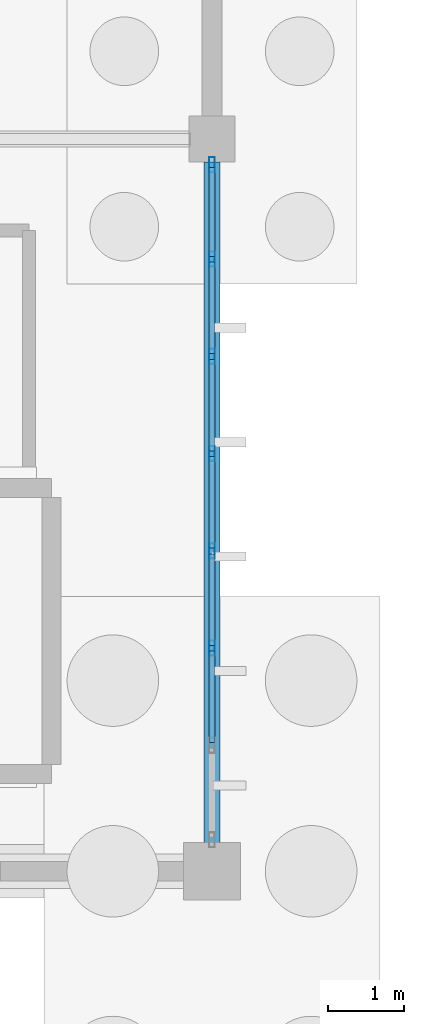
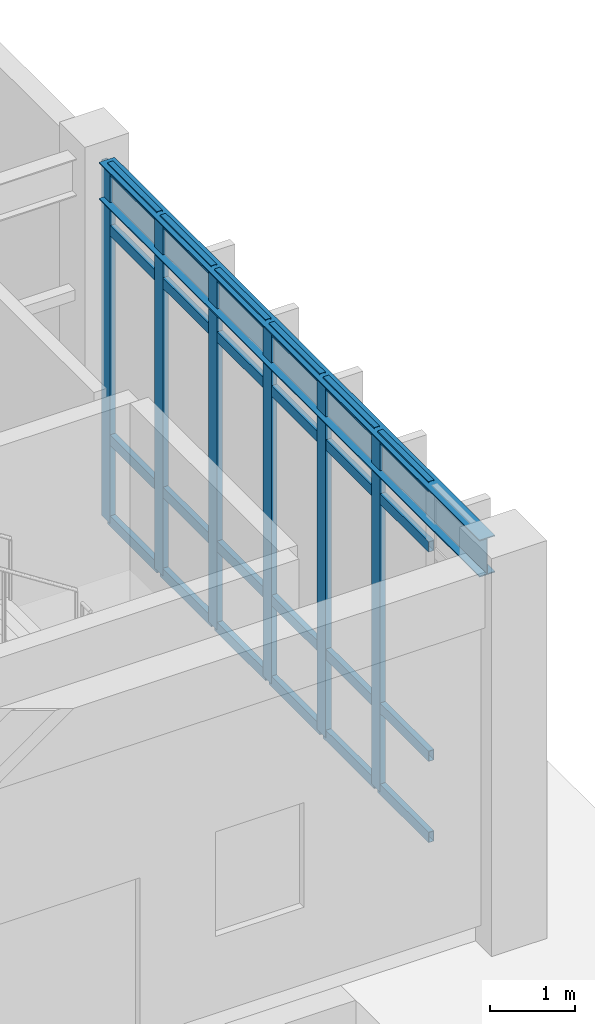
# One storey, part 97 of 188: 30 members, 1 beam, 1 element without a shape of its own.
"""IFC4 building model written with IfcOpenShell, lengths in metres."""

from ifc_helpers import new_model, si_unit, direction, frame, origin, origin_2d, place, context, subcontext, project, spatial, hollow_rectangle, i_section, extrude, material, layer, layer_set, material_profile, profile_set, type_object, element, aggregate, save


model = new_model("IFC4")

# Units and contexts
model_context = context("Model", 3, precision=1e-05, world=origin(), true_north=direction((0.0, 1.0)))
body_context = subcontext(model_context, "Body", "Model", "MODEL_VIEW")
ifc_project = project(units=[si_unit("LENGTHUNIT", "METRE"), si_unit("AREAUNIT", "SQUARE_METRE"), si_unit("VOLUMEUNIT", "CUBIC_METRE"), si_unit("PLANEANGLEUNIT", "RADIAN"), si_unit("MASSUNIT", "GRAM", prefix="KILO")], contexts=[model_context])

# Site, building, storey
site_placement = place(None, origin())
site = spatial("IfcSite", under=ifc_project, at=site_placement, CompositionType="ELEMENT")
building_placement = place(site_placement, origin())
building = spatial("IfcBuilding", under=site, at=building_placement, Name="Pandanus Reach Market Hall", CompositionType="ELEMENT")
storey_placement = place(building_placement, origin())
storey = spatial("IfcBuildingStorey", under=building, at=storey_placement, Name="L00", CompositionType="ELEMENT", Elevation=0.0)

# Beam
ifc_material_1 = material(Name="Steel Grade 350 (350 MPa)", Category="steel")
ifc_material_profile_1 = material_profile(ifc_material_1, i_section(OverallWidth=0.208984375, OverallDepth=0.532958984375, WebThickness=0.01025390625, FlangeThickness=0.015625, at=origin_2d()), Name="530UB92.4", Category="LoadBearing")
ifc_profile_set_1 = profile_set([ifc_material_profile_1], Name="Steel Grade 350 (350 MPa)")
beam_type = type_object("IfcBeamType", Name="BM-UB530-I", PredefinedType="BEAM", material=ifc_profile_set_1)
beam_placement = place(storey_placement, frame((132.0, 29.173095703125, 4.85302734375), z_axis=(0.0, 1.0, 0.0), x_axis=(-1.0, 0.0, 0.0)))
element("IfcBeam", 1, at=beam_placement, inside=storey, type_object=beam_type, Name="Framing beam BM-UB530-I L00.1080", PredefinedType="BEAM", context=body_context, shape_type="SweptSolid", body=[
    extrude(i_section(OverallWidth=0.208984375, OverallDepth=0.532958984375, WebThickness=0.01025390625, FlangeThickness=0.015625, at=origin_2d()), origin(), (0.0, 0.0, 1.0), 8.928955078125),
])

# Curtain wall, members
ifc_material_2 = material(Name="Bronze anodised aluminium and low-E glass", Category="aluminium")
ifc_layer = layer(ifc_material_2, 0.199951171875, Name="CW-03")
ifc_layer_set = layer_set([ifc_layer], Name="Bronze anodised aluminium and low-E glass")
curtain_wall_type = type_object("IfcCurtainWallType", Name="CW-03", PredefinedType="NOTDEFINED", material=ifc_layer_set)
curtain_wall_placement = place(storey_placement, origin())
curtain_wall = element("IfcCurtainWall", 2, at=curtain_wall_placement, inside=storey, type_object=curtain_wall_type, Name="Glazed curtain wall CW-03 CW-0020", PredefinedType="NOTDEFINED")
ifc_material_3 = material(Name="Bronze anodised aluminium", Category="aluminium")
ifc_material_profile_2 = material_profile(ifc_material_3, hollow_rectangle(XDim=0.074951171875, YDim=0.199951171875, WallThickness=0.00439453125, at=origin_2d()), Name="ALU75x200", Category="LoadBearing")
ifc_profile_set_2 = profile_set([ifc_material_profile_2], Name="Bronze anodised aluminium")
member_type_1 = type_object("IfcMemberType", Name="CW-M2", PredefinedType="MULLION", material=ifc_profile_set_2)
member_1_placement = place(storey_placement, frame((132.0, 31.72509765625, 0.0), z_axis=(0.0, 0.0, 1.0), x_axis=(-1.0, 0.0, 0.0)))
member_1 = element("IfcMember", 3, at=member_1_placement, type_object=member_type_1, Name="CW-03 mullion 3", PredefinedType="MULLION", context=body_context, shape_type="SweptSolid", body=[
    extrude(hollow_rectangle(XDim=0.074951171875, YDim=0.199951171875, WallThickness=0.00439453125, at=origin_2d()), origin(), (0.0, 0.0, 1.0), 5.10009765625),
])
member_2_placement = place(storey_placement, frame((132.0, 33.0, 0.0), z_axis=(0.0, 0.0, 1.0), x_axis=(-1.0, 0.0, 0.0)))
member_2 = element("IfcMember", 4, at=member_2_placement, type_object=member_type_1, Name="CW-03 mullion 4", PredefinedType="MULLION", context=body_context, shape_type="SweptSolid", body=[
    extrude(hollow_rectangle(XDim=0.074951171875, YDim=0.199951171875, WallThickness=0.00439453125, at=origin_2d()), origin(), (0.0, 0.0, 1.0), 5.10009765625),
])
member_3_placement = place(storey_placement, frame((132.0, 34.27490234375, 0.0), z_axis=(0.0, 0.0, 1.0), x_axis=(-1.0, 0.0, 0.0)))
member_3 = element("IfcMember", 5, at=member_3_placement, type_object=member_type_1, Name="CW-03 mullion 5", PredefinedType="MULLION", context=body_context, shape_type="SweptSolid", body=[
    extrude(hollow_rectangle(XDim=0.074951171875, YDim=0.199951171875, WallThickness=0.00439453125, at=origin_2d()), origin(), (0.0, 0.0, 1.0), 5.10009765625),
])
member_4_placement = place(storey_placement, frame((132.0, 35.550048828125, 0.0), z_axis=(0.0, 0.0, 1.0), x_axis=(-1.0, 0.0, 0.0)))
member_4 = element("IfcMember", 6, at=member_4_placement, type_object=member_type_1, Name="CW-03 mullion 6", PredefinedType="MULLION", context=body_context, shape_type="SweptSolid", body=[
    extrude(hollow_rectangle(XDim=0.074951171875, YDim=0.199951171875, WallThickness=0.00439453125, at=origin_2d()), origin(), (0.0, 0.0, 1.0), 5.10009765625),
])
member_5_placement = place(storey_placement, frame((132.0, 36.824951171875, 0.0), z_axis=(0.0, 0.0, 1.0), x_axis=(-1.0, 0.0, 0.0)))
member_5 = element("IfcMember", 7, at=member_5_placement, type_object=member_type_1, Name="CW-03 mullion 7", PredefinedType="MULLION", context=body_context, shape_type="SweptSolid", body=[
    extrude(hollow_rectangle(XDim=0.074951171875, YDim=0.199951171875, WallThickness=0.00439453125, at=origin_2d()), origin(), (0.0, 0.0, 1.0), 5.10009765625),
])
member_6_placement = place(storey_placement, frame((132.0, 38.0625, 0.0), z_axis=(0.0, 0.0, 1.0), x_axis=(-1.0, 0.0, 0.0)))
member_6 = element("IfcMember", 8, at=member_6_placement, type_object=member_type_1, Name="CW-03 mullion 8", PredefinedType="MULLION", context=body_context, shape_type="SweptSolid", body=[
    extrude(hollow_rectangle(XDim=0.074951171875, YDim=0.199951171875, WallThickness=0.00439453125, at=origin_2d()), origin(), (0.0, 0.0, 1.0), 5.10009765625),
])
ifc_material_profile_3 = material_profile(ifc_material_3, hollow_rectangle(XDim=0.074951171875, YDim=0.14990234375, WallThickness=0.00439453125, at=origin_2d()), Name="ALU75x150", Category="LoadBearing")
ifc_profile_set_3 = profile_set([ifc_material_profile_3], Name="Bronze anodised aluminium")
member_type_2 = type_object("IfcMemberType", Name="CW-T2", PredefinedType="USERDEFINED", material=ifc_profile_set_3)
member_7_placement = place(storey_placement, frame((132.0, 30.487548828125, 0.03759765625), z_axis=(0.0, 1.0, 0.0), x_axis=(-1.0, 0.0, 0.0)))
member_7 = element("IfcMember", 9, at=member_7_placement, type_object=member_type_2, Name="CW-03 transom 2.1", ObjectType="TRANSOM", PredefinedType="USERDEFINED", context=body_context, shape_type="SweptSolid", body=[
    extrude(hollow_rectangle(XDim=0.074951171875, YDim=0.14990234375, WallThickness=0.00439453125, at=origin_2d()), origin(), (0.0, 0.0, 1.0), 1.199951171875),
])
member_8_placement = place(storey_placement, frame((132.0, 30.487548828125, 1.199951171875), z_axis=(0.0, 1.0, 0.0), x_axis=(-1.0, 0.0, 0.0)))
member_8 = element("IfcMember", 10, at=member_8_placement, type_object=member_type_2, Name="CW-03 transom 2.2", ObjectType="TRANSOM", PredefinedType="USERDEFINED", context=body_context, shape_type="SweptSolid", body=[
    extrude(hollow_rectangle(XDim=0.074951171875, YDim=0.14990234375, WallThickness=0.00439453125, at=origin_2d()), origin(), (0.0, 0.0, 1.0), 1.199951171875),
])
member_9_placement = place(storey_placement, frame((132.0, 30.487548828125, 4.199951171875), z_axis=(0.0, 1.0, 0.0), x_axis=(-1.0, 0.0, 0.0)))
member_9 = element("IfcMember", 11, at=member_9_placement, type_object=member_type_2, Name="CW-03 transom 2.3", ObjectType="TRANSOM", PredefinedType="USERDEFINED", context=body_context, shape_type="SweptSolid", body=[
    extrude(hollow_rectangle(XDim=0.074951171875, YDim=0.14990234375, WallThickness=0.00439453125, at=origin_2d()), origin(), (0.0, 0.0, 1.0), 1.199951171875),
])
member_10_placement = place(storey_placement, frame((132.0, 30.487548828125, 5.0625), z_axis=(0.0, 1.0, 0.0), x_axis=(-1.0, 0.0, 0.0)))
member_10 = element("IfcMember", 12, at=member_10_placement, type_object=member_type_2, Name="CW-03 transom 2.4", ObjectType="TRANSOM", PredefinedType="USERDEFINED", context=body_context, shape_type="SweptSolid", body=[
    extrude(hollow_rectangle(XDim=0.074951171875, YDim=0.14990234375, WallThickness=0.00439453125, at=origin_2d()), origin(), (0.0, 0.0, 1.0), 1.199951171875),
])
member_11_placement = place(storey_placement, frame((132.0, 31.762451171875, 0.03759765625), z_axis=(0.0, 1.0, 0.0), x_axis=(-1.0, 0.0, 0.0)))
member_11 = element("IfcMember", 13, at=member_11_placement, type_object=member_type_2, Name="CW-03 transom 3.1", ObjectType="TRANSOM", PredefinedType="USERDEFINED", context=body_context, shape_type="SweptSolid", body=[
    extrude(hollow_rectangle(XDim=0.074951171875, YDim=0.14990234375, WallThickness=0.00439453125, at=origin_2d()), origin(), (0.0, 0.0, 1.0), 1.199951171875),
])
member_12_placement = place(storey_placement, frame((132.0, 31.762451171875, 1.199951171875), z_axis=(0.0, 1.0, 0.0), x_axis=(-1.0, 0.0, 0.0)))
member_12 = element("IfcMember", 14, at=member_12_placement, type_object=member_type_2, Name="CW-03 transom 3.2", ObjectType="TRANSOM", PredefinedType="USERDEFINED", context=body_context, shape_type="SweptSolid", body=[
    extrude(hollow_rectangle(XDim=0.074951171875, YDim=0.14990234375, WallThickness=0.00439453125, at=origin_2d()), origin(), (0.0, 0.0, 1.0), 1.199951171875),
])
member_13_placement = place(storey_placement, frame((132.0, 31.762451171875, 4.199951171875), z_axis=(0.0, 1.0, 0.0), x_axis=(-1.0, 0.0, 0.0)))
member_13 = element("IfcMember", 15, at=member_13_placement, type_object=member_type_2, Name="CW-03 transom 3.3", ObjectType="TRANSOM", PredefinedType="USERDEFINED", context=body_context, shape_type="SweptSolid", body=[
    extrude(hollow_rectangle(XDim=0.074951171875, YDim=0.14990234375, WallThickness=0.00439453125, at=origin_2d()), origin(), (0.0, 0.0, 1.0), 1.199951171875),
])
member_14_placement = place(storey_placement, frame((132.0, 31.762451171875, 5.0625), z_axis=(0.0, 1.0, 0.0), x_axis=(-1.0, 0.0, 0.0)))
member_14 = element("IfcMember", 16, at=member_14_placement, type_object=member_type_2, Name="CW-03 transom 3.4", ObjectType="TRANSOM", PredefinedType="USERDEFINED", context=body_context, shape_type="SweptSolid", body=[
    extrude(hollow_rectangle(XDim=0.074951171875, YDim=0.14990234375, WallThickness=0.00439453125, at=origin_2d()), origin(), (0.0, 0.0, 1.0), 1.199951171875),
])
member_15_placement = place(storey_placement, frame((132.0, 33.03759765625, 0.03759765625), z_axis=(0.0, 1.0, 0.0), x_axis=(-1.0, 0.0, 0.0)))
member_15 = element("IfcMember", 17, at=member_15_placement, type_object=member_type_2, Name="CW-03 transom 4.1", ObjectType="TRANSOM", PredefinedType="USERDEFINED", context=body_context, shape_type="SweptSolid", body=[
    extrude(hollow_rectangle(XDim=0.074951171875, YDim=0.14990234375, WallThickness=0.00439453125, at=origin_2d()), origin(), (0.0, 0.0, 1.0), 1.199951171875),
])
member_16_placement = place(storey_placement, frame((132.0, 33.03759765625, 1.199951171875), z_axis=(0.0, 1.0, 0.0), x_axis=(-1.0, 0.0, 0.0)))
member_16 = element("IfcMember", 18, at=member_16_placement, type_object=member_type_2, Name="CW-03 transom 4.2", ObjectType="TRANSOM", PredefinedType="USERDEFINED", context=body_context, shape_type="SweptSolid", body=[
    extrude(hollow_rectangle(XDim=0.074951171875, YDim=0.14990234375, WallThickness=0.00439453125, at=origin_2d()), origin(), (0.0, 0.0, 1.0), 1.199951171875),
])
member_17_placement = place(storey_placement, frame((132.0, 33.03759765625, 4.199951171875), z_axis=(0.0, 1.0, 0.0), x_axis=(-1.0, 0.0, 0.0)))
member_17 = element("IfcMember", 19, at=member_17_placement, type_object=member_type_2, Name="CW-03 transom 4.3", ObjectType="TRANSOM", PredefinedType="USERDEFINED", context=body_context, shape_type="SweptSolid", body=[
    extrude(hollow_rectangle(XDim=0.074951171875, YDim=0.14990234375, WallThickness=0.00439453125, at=origin_2d()), origin(), (0.0, 0.0, 1.0), 1.199951171875),
])
member_18_placement = place(storey_placement, frame((132.0, 33.03759765625, 5.0625), z_axis=(0.0, 1.0, 0.0), x_axis=(-1.0, 0.0, 0.0)))
member_18 = element("IfcMember", 20, at=member_18_placement, type_object=member_type_2, Name="CW-03 transom 4.4", ObjectType="TRANSOM", PredefinedType="USERDEFINED", context=body_context, shape_type="SweptSolid", body=[
    extrude(hollow_rectangle(XDim=0.074951171875, YDim=0.14990234375, WallThickness=0.00439453125, at=origin_2d()), origin(), (0.0, 0.0, 1.0), 1.199951171875),
])
member_19_placement = place(storey_placement, frame((132.0, 34.3125, 0.03759765625), z_axis=(0.0, 1.0, 0.0), x_axis=(-1.0, 0.0, 0.0)))
member_19 = element("IfcMember", 21, at=member_19_placement, type_object=member_type_2, Name="CW-03 transom 5.1", ObjectType="TRANSOM", PredefinedType="USERDEFINED", context=body_context, shape_type="SweptSolid", body=[
    extrude(hollow_rectangle(XDim=0.074951171875, YDim=0.14990234375, WallThickness=0.00439453125, at=origin_2d()), origin(), (0.0, 0.0, 1.0), 1.199951171875),
])
member_20_placement = place(storey_placement, frame((132.0, 34.3125, 1.199951171875), z_axis=(0.0, 1.0, 0.0), x_axis=(-1.0, 0.0, 0.0)))
member_20 = element("IfcMember", 22, at=member_20_placement, type_object=member_type_2, Name="CW-03 transom 5.2", ObjectType="TRANSOM", PredefinedType="USERDEFINED", context=body_context, shape_type="SweptSolid", body=[
    extrude(hollow_rectangle(XDim=0.074951171875, YDim=0.14990234375, WallThickness=0.00439453125, at=origin_2d()), origin(), (0.0, 0.0, 1.0), 1.199951171875),
])
member_21_placement = place(storey_placement, frame((132.0, 34.3125, 4.199951171875), z_axis=(0.0, 1.0, 0.0), x_axis=(-1.0, 0.0, 0.0)))
member_21 = element("IfcMember", 23, at=member_21_placement, type_object=member_type_2, Name="CW-03 transom 5.3", ObjectType="TRANSOM", PredefinedType="USERDEFINED", context=body_context, shape_type="SweptSolid", body=[
    extrude(hollow_rectangle(XDim=0.074951171875, YDim=0.14990234375, WallThickness=0.00439453125, at=origin_2d()), origin(), (0.0, 0.0, 1.0), 1.199951171875),
])
member_22_placement = place(storey_placement, frame((132.0, 34.3125, 5.0625), z_axis=(0.0, 1.0, 0.0), x_axis=(-1.0, 0.0, 0.0)))
member_22 = element("IfcMember", 24, at=member_22_placement, type_object=member_type_2, Name="CW-03 transom 5.4", ObjectType="TRANSOM", PredefinedType="USERDEFINED", context=body_context, shape_type="SweptSolid", body=[
    extrude(hollow_rectangle(XDim=0.074951171875, YDim=0.14990234375, WallThickness=0.00439453125, at=origin_2d()), origin(), (0.0, 0.0, 1.0), 1.199951171875),
])
member_23_placement = place(storey_placement, frame((132.0, 35.58740234375, 0.03759765625), z_axis=(0.0, 1.0, 0.0), x_axis=(-1.0, 0.0, 0.0)))
member_23 = element("IfcMember", 25, at=member_23_placement, type_object=member_type_2, Name="CW-03 transom 6.1", ObjectType="TRANSOM", PredefinedType="USERDEFINED", context=body_context, shape_type="SweptSolid", body=[
    extrude(hollow_rectangle(XDim=0.074951171875, YDim=0.14990234375, WallThickness=0.00439453125, at=origin_2d()), origin(), (0.0, 0.0, 1.0), 1.2001953125),
])
member_24_placement = place(storey_placement, frame((132.0, 35.58740234375, 1.199951171875), z_axis=(0.0, 1.0, 0.0), x_axis=(-1.0, 0.0, 0.0)))
member_24 = element("IfcMember", 26, at=member_24_placement, type_object=member_type_2, Name="CW-03 transom 6.2", ObjectType="TRANSOM", PredefinedType="USERDEFINED", context=body_context, shape_type="SweptSolid", body=[
    extrude(hollow_rectangle(XDim=0.074951171875, YDim=0.14990234375, WallThickness=0.00439453125, at=origin_2d()), origin(), (0.0, 0.0, 1.0), 1.2001953125),
])
member_25_placement = place(storey_placement, frame((132.0, 35.58740234375, 4.199951171875), z_axis=(0.0, 1.0, 0.0), x_axis=(-1.0, 0.0, 0.0)))
member_25 = element("IfcMember", 27, at=member_25_placement, type_object=member_type_2, Name="CW-03 transom 6.3", ObjectType="TRANSOM", PredefinedType="USERDEFINED", context=body_context, shape_type="SweptSolid", body=[
    extrude(hollow_rectangle(XDim=0.074951171875, YDim=0.14990234375, WallThickness=0.00439453125, at=origin_2d()), origin(), (0.0, 0.0, 1.0), 1.2001953125),
])
member_26_placement = place(storey_placement, frame((132.0, 35.58740234375, 5.0625), z_axis=(0.0, 1.0, 0.0), x_axis=(-1.0, 0.0, 0.0)))
member_26 = element("IfcMember", 28, at=member_26_placement, type_object=member_type_2, Name="CW-03 transom 6.4", ObjectType="TRANSOM", PredefinedType="USERDEFINED", context=body_context, shape_type="SweptSolid", body=[
    extrude(hollow_rectangle(XDim=0.074951171875, YDim=0.14990234375, WallThickness=0.00439453125, at=origin_2d()), origin(), (0.0, 0.0, 1.0), 1.2001953125),
])
member_27_placement = place(storey_placement, frame((132.0, 36.862548828125, 0.03759765625), z_axis=(0.0, 1.0, 0.0), x_axis=(-1.0, 0.0, 0.0)))
member_27 = element("IfcMember", 29, at=member_27_placement, type_object=member_type_2, Name="CW-03 transom 7.1", ObjectType="TRANSOM", PredefinedType="USERDEFINED", context=body_context, shape_type="SweptSolid", body=[
    extrude(hollow_rectangle(XDim=0.074951171875, YDim=0.14990234375, WallThickness=0.00439453125, at=origin_2d()), origin(), (0.0, 0.0, 1.0), 1.162353515625),
])
member_28_placement = place(storey_placement, frame((132.0, 36.862548828125, 1.199951171875), z_axis=(0.0, 1.0, 0.0), x_axis=(-1.0, 0.0, 0.0)))
member_28 = element("IfcMember", 30, at=member_28_placement, type_object=member_type_2, Name="CW-03 transom 7.2", ObjectType="TRANSOM", PredefinedType="USERDEFINED", context=body_context, shape_type="SweptSolid", body=[
    extrude(hollow_rectangle(XDim=0.074951171875, YDim=0.14990234375, WallThickness=0.00439453125, at=origin_2d()), origin(), (0.0, 0.0, 1.0), 1.162353515625),
])
member_29_placement = place(storey_placement, frame((132.0, 36.862548828125, 4.199951171875), z_axis=(0.0, 1.0, 0.0), x_axis=(-1.0, 0.0, 0.0)))
member_29 = element("IfcMember", 31, at=member_29_placement, type_object=member_type_2, Name="CW-03 transom 7.3", ObjectType="TRANSOM", PredefinedType="USERDEFINED", context=body_context, shape_type="SweptSolid", body=[
    extrude(hollow_rectangle(XDim=0.074951171875, YDim=0.14990234375, WallThickness=0.00439453125, at=origin_2d()), origin(), (0.0, 0.0, 1.0), 1.162353515625),
])
member_30_placement = place(storey_placement, frame((132.0, 36.862548828125, 5.0625), z_axis=(0.0, 1.0, 0.0), x_axis=(-1.0, 0.0, 0.0)))
member_30 = element("IfcMember", 32, at=member_30_placement, type_object=member_type_2, Name="CW-03 transom 7.4", ObjectType="TRANSOM", PredefinedType="USERDEFINED", context=body_context, shape_type="SweptSolid", body=[
    extrude(hollow_rectangle(XDim=0.074951171875, YDim=0.14990234375, WallThickness=0.00439453125, at=origin_2d()), origin(), (0.0, 0.0, 1.0), 1.162353515625),
])
aggregate(curtain_wall, [member_1, member_2, member_3, member_4, member_5, member_6, member_7, member_8, member_9, member_10, member_11, member_12, member_13, member_14, member_15, member_16, member_17, member_18, member_19, member_20, member_21, member_22, member_23, member_24, member_25, member_26, member_27, member_28, member_29, member_30])

save(model, "model.ifc")
